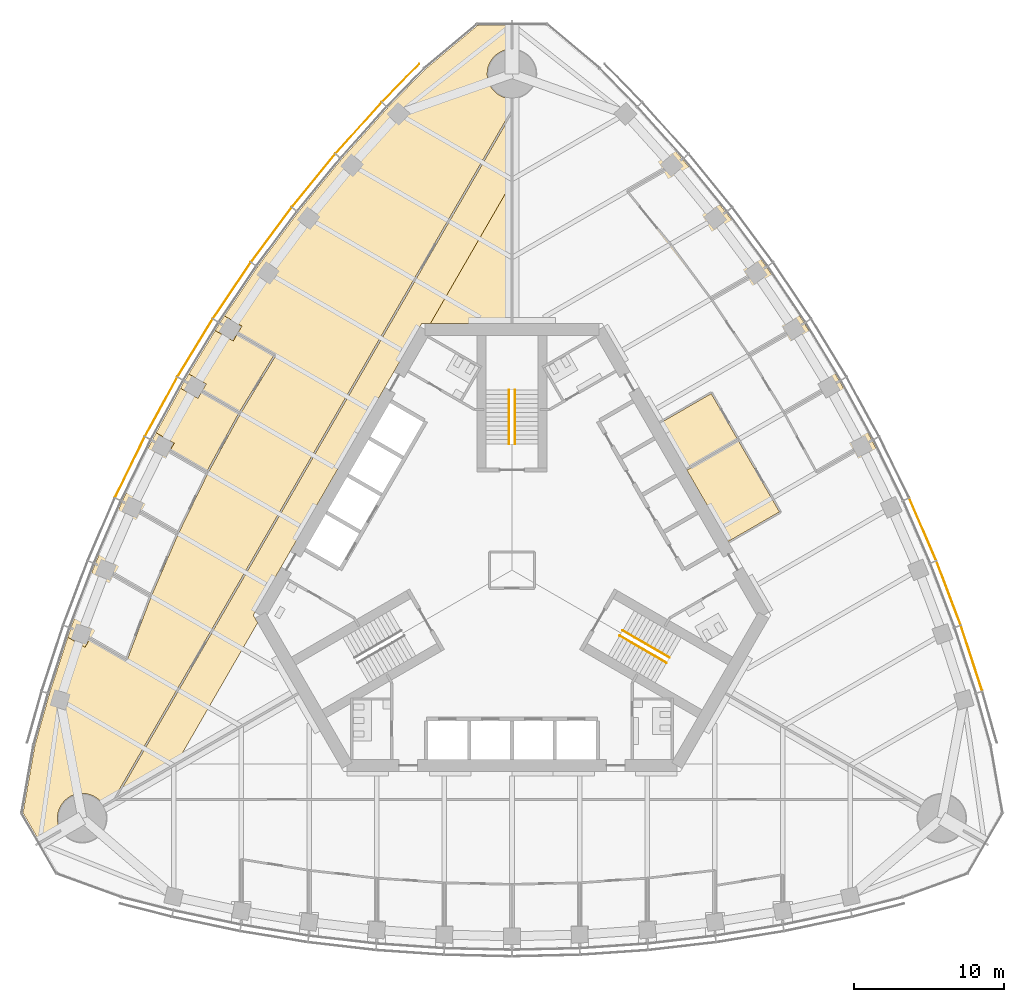
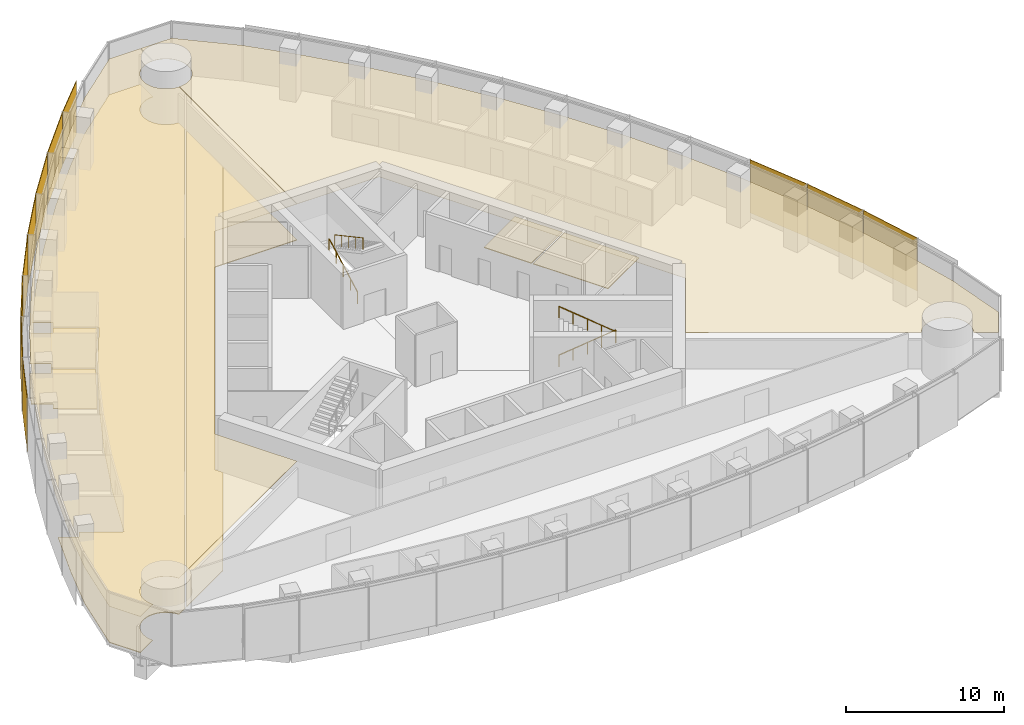
# One storey, part 17 of 20: 11 shading devices, 9 coverings, 4 railings.
"""IFC4 building model written with IfcOpenShell, lengths in metres."""

import ifcopenshell
import ifcopenshell.guid

model = None  # the IFC model being written
_history = None  # IfcOwnerHistory: only IFC2X3 demands one
_inside = {}  # id of a spatial element -> (the spatial element, [elements in it])
_under = {}  # id of a project, library or spatial element -> (it, [spatial elements below it])
_declared = {}  # id of a project -> (the project, [libraries it declares])
_typed = {}  # id of a type object -> (the type object, [elements of that type])
_made_of = {}  # id of a material, layer set ... -> (it, [elements and type objects made of it])


def new_model(schema):
    """Start an empty IFC model of exactly this schema.

    Asked for "IFC4X3", IfcOpenShell would pick the latest addendum, in which some entities
    have other attributes; the version numbers below select the first issue.
    IFC2X3 requires an IfcOwnerHistory on every rooted entity: one is made here for all.
    """
    global model, _history
    if schema == "IFC4X3":
        model = ifcopenshell.file(schema_version=(4, 3, 0, 0))
    else:
        model = ifcopenshell.file(schema=schema)
    _inside.clear()
    _under.clear()
    _declared.clear()
    _typed.clear()
    _made_of.clear()
    _history = None
    if model.schema == "IFC2X3":
        org = make("IfcOrganization", Name="unknown")
        user = make(
            "IfcPersonAndOrganization",
            ThePerson=make("IfcPerson", FamilyName="unknown"),
            TheOrganization=org,
        )
        app = make(
            "IfcApplication",
            ApplicationDeveloper=org,
            Version="unknown",
            ApplicationFullName="unknown",
            ApplicationIdentifier="unknown",
        )
        _history = make(
            "IfcOwnerHistory",
            OwningUser=user,
            OwningApplication=app,
            ChangeAction="ADDED",
            CreationDate=0,
        )
    return model


def make(cls, **values):
    """One entity of the class cls with the attributes given. An attribute that is None is left unset."""
    return model.create_entity(
        cls, **{name: value for name, value in values.items() if value is not None}
    )


def rooted(cls, **values):
    """An entity with a GlobalId (a new one), such as an element, a storey or a relation."""
    return make(cls, GlobalId=ifcopenshell.guid.new(), OwnerHistory=_history, **values)


def si_unit(unit_type, name, prefix=None):
    """IfcSIUnit, for example si_unit("LENGTHUNIT", "METRE", prefix="MILLI")."""
    return make("IfcSIUnit", UnitType=unit_type, Prefix=prefix, Name=name)


def assignment(units):
    """IfcUnitAssignment: the units of a project."""
    return None if units is None else make("IfcUnitAssignment", Units=units)


def point(xyz):
    """IfcCartesianPoint."""
    return None if xyz is None else make("IfcCartesianPoint", Coordinates=xyz)


def direction(xyz):
    """IfcDirection."""
    return None if xyz is None else make("IfcDirection", DirectionRatios=xyz)


def frame(location, z_axis=None, x_axis=None):
    """IfcAxis2Placement3D, a coordinate frame: its origin and axes. An axis left out is left unset."""
    return make(
        "IfcAxis2Placement3D",
        Location=point(location),
        Axis=direction(z_axis),
        RefDirection=direction(x_axis),
    )


def frame_2d(location, x_axis=None):
    """IfcAxis2Placement2D, a coordinate frame in the plane: its origin and x axis."""
    return make(
        "IfcAxis2Placement2D", Location=point(location), RefDirection=direction(x_axis)
    )


def origin():
    """The frame at (0, 0, 0) with its axes left unset."""
    return frame((0.0, 0.0, 0.0))


def origin_2d():
    """The frame at (0, 0) in the plane with its x axis left unset."""
    return frame_2d((0.0, 0.0))


def place(relative_to, where):
    """IfcLocalPlacement: puts the frame where relative to a parent placement (None: the world)."""
    return make(
        "IfcLocalPlacement", PlacementRelTo=relative_to, RelativePlacement=where
    )


def context(
    kind, dimensions, precision=None, world=None, true_north=None, identifier=None
):
    """IfcGeometricRepresentationContext, for example the 3D "Model" context."""
    return make(
        "IfcGeometricRepresentationContext",
        ContextIdentifier=identifier,
        ContextType=kind,
        CoordinateSpaceDimension=dimensions,
        Precision=precision,
        WorldCoordinateSystem=world,
        TrueNorth=true_north,
    )


def subcontext(parent, identifier, kind, view, scale=None):
    """IfcGeometricRepresentationSubContext, for example "Body" below "Model"."""
    return make(
        "IfcGeometricRepresentationSubContext",
        ContextIdentifier=identifier,
        ContextType=kind,
        ParentContext=parent,
        TargetScale=scale,
        TargetView=view,
    )


def project(units=None, contexts=None):
    """IfcProject with its units and contexts."""
    return rooted(
        "IfcProject",
        Name="project",
        RepresentationContexts=contexts,
        UnitsInContext=assignment(units),
    )


def spatial(cls, under=None, at=None, **own):
    """A site, building, storey or space (cls), placed at a placement, below another one or the project."""
    s = rooted(cls, ObjectPlacement=at, **own)
    if under is not None:
        _under.setdefault(under.id(), (under, []))[1].append(s)
    return s


def polyline(points):
    """IfcPolyline through the points."""
    return make("IfcPolyline", Points=[point(p) for p in points])


def profile(cls, at=None, kind="AREA", **sizes):
    """A parametric profile (cls). Its sizes go by their IFC names, for example OverallWidth=200.0."""
    return make(cls, ProfileType=kind, Position=at, **sizes)


def rectangle(**sizes):
    """IfcRectangleProfileDef."""
    return profile("IfcRectangleProfileDef", **sizes)


def circle(**sizes):
    """IfcCircleProfileDef."""
    return profile("IfcCircleProfileDef", **sizes)


def outline(outer, holes=None, kind="AREA"):
    """IfcArbitraryClosedProfileDef: a profile drawn as a closed curve; with holes, ...WithVoids."""
    if holes is None:
        return make("IfcArbitraryClosedProfileDef", ProfileType=kind, OuterCurve=outer)
    return make(
        "IfcArbitraryProfileDefWithVoids",
        ProfileType=kind,
        OuterCurve=outer,
        InnerCurves=holes,
    )


def extrude(swept, where, along, depth):
    """IfcExtrudedAreaSolid: the profile swept, set in the frame where, extruded along a direction by depth."""
    return make(
        "IfcExtrudedAreaSolid",
        SweptArea=swept,
        Position=where,
        ExtrudedDirection=direction(along),
        Depth=depth,
    )


def shape(context_of_items, identifier, shape_type, items):
    """IfcShapeRepresentation: the items that make up one representation, for example the "Body"."""
    return make(
        "IfcShapeRepresentation",
        ContextOfItems=context_of_items,
        RepresentationIdentifier=identifier,
        RepresentationType=shape_type,
        Items=items,
    )


def material(Name=None, Category=None):
    """IfcMaterial."""
    return make("IfcMaterial", Name=Name, Category=Category)


def layer(
    of_material, thickness, ventilated=None, Name=None, Category=None, Priority=None
):
    """IfcMaterialLayer: one layer of a wall or slab, of a material (None: an air gap)."""
    return make(
        "IfcMaterialLayer",
        Material=of_material,
        LayerThickness=thickness,
        IsVentilated=ventilated,
        Name=Name,
        Category=Category,
        Priority=Priority,
    )


def layer_set(layers, Name=None):
    """IfcMaterialLayerSet."""
    return make("IfcMaterialLayerSet", MaterialLayers=layers, LayerSetName=Name)


def made_of(thing, what):
    """Note that an element or type object is made of a material, layer set ...; save() writes the relation."""
    if what is not None:
        _made_of.setdefault(what.id(), (what, []))[1].append(thing)
    return thing


def type_object(cls, material=None, **own):
    """A type object (cls), such as IfcWallType, which elements share."""
    return made_of(rooted(cls, **own), material)


def element(
    cls,
    number,
    at=None,
    inside=None,
    cuts=None,
    type_object=None,
    material=None,
    context=None,
    identifier="Body",
    shape_type=None,
    held_by="IfcProductDefinitionShape",
    body=None,
    shapes=None,
    **own,
):
    """One element of the class cls, such as IfcWall. Its Tag is "e" and its number.

    at: its placement. inside: the storey or other place that contains it. cuts: it is an
    opening in that element (IfcRelVoidsElement). A single representation is given by context,
    identifier, shape_type and body (its items); several are given by shapes. held_by: the class
    of the entity that holds the representations. save() writes the other relations.
    """
    e = rooted(cls, Tag="e%d" % number, ObjectPlacement=at, **own)
    if body is not None:
        shapes = [shape(context, identifier, shape_type, body)]
    if shapes is not None:
        e.Representation = make(held_by, Representations=shapes)
    if inside is not None:
        _inside.setdefault(inside.id(), (inside, []))[1].append(e)
    if cuts is not None:
        rooted(
            "IfcRelVoidsElement", RelatingBuildingElement=cuts, RelatedOpeningElement=e
        )
    if type_object is not None:
        _typed.setdefault(type_object.id(), (type_object, []))[1].append(e)
    return made_of(e, material)


def aggregate(whole, parts):
    """IfcRelAggregates: a whole, such as a stair, and the parts it consists of."""
    return rooted("IfcRelAggregates", RelatingObject=whole, RelatedObjects=parts)


def save(model, path):
    """Write the relations noted so far, then the file.

    IfcRelAggregates (storeys below a building ...), IfcRelContainedInSpatialStructure (elements
    in a storey), IfcRelDefinesByType, IfcRelAssociatesMaterial and IfcRelDeclares: one each for
    every whole, place, type object, material and project.
    """
    for whole, parts in _under.values():
        aggregate(whole, parts)
    for where, things in _inside.values():
        rooted(
            "IfcRelContainedInSpatialStructure",
            RelatedElements=things,
            RelatingStructure=where,
        )
    for kind, things in _typed.values():
        rooted("IfcRelDefinesByType", RelatedObjects=things, RelatingType=kind)
    for what, things in _made_of.values():
        rooted("IfcRelAssociatesMaterial", RelatedObjects=things, RelatingMaterial=what)
    for by, libraries in _declared.values():
        rooted("IfcRelDeclares", RelatingContext=by, RelatedDefinitions=libraries)
    model.write(path)


model = new_model("IFC4")

# Units and contexts
model_context = context("Model", 3, precision=1e-05, world=origin(), true_north=direction((0.0, 1.0)))
body_context = subcontext(model_context, "Body", "Model", "MODEL_VIEW")
ifc_project = project(units=[si_unit("LENGTHUNIT", "METRE"), si_unit("AREAUNIT", "SQUARE_METRE"), si_unit("VOLUMEUNIT", "CUBIC_METRE"), si_unit("PLANEANGLEUNIT", "RADIAN"), si_unit("MASSUNIT", "GRAM", prefix="KILO")], contexts=[model_context])

# Site, building, storey
site_placement = place(None, origin())
site = spatial("IfcSite", under=ifc_project, at=site_placement, CompositionType="ELEMENT")
building_placement = place(site_placement, origin())
building = spatial("IfcBuilding", under=site, at=building_placement, Name="Trefoil Bronze Tower", CompositionType="ELEMENT")
storey_placement = place(building_placement, frame((0.0, 0.0, 219.10009765625)))
storey = spatial("IfcBuildingStorey", under=building, at=storey_placement, Name="L50", CompositionType="ELEMENT", Elevation=219.10009765625)

# Shading devices
ifc_material_1 = material(Name="Perforated bronze sheet", Category="bronze")
ifc_layer_1 = layer(ifc_material_1, 0.0400390625)
ifc_layer_set_1 = layer_set([ifc_layer_1], Name="Bronze solar screen panel")
shading_device_type = type_object("IfcShadingDeviceType", Name="Bronze solar screen panel", PredefinedType="SHUTTER", material=ifc_layer_set_1)
shading_device_1_placement = place(storey_placement, frame((30.5634765625, -5.86572265625, 0.0498046875), z_axis=(0.0, 0.0, 1.0), x_axis=(-0.310148591821, 0.950688093431, 0.0)))
element("IfcShadingDevice", 1, at=shading_device_1_placement, inside=storey, type_object=shading_device_type, Name="Solar screen CW-A L50 F2 bay 2", PredefinedType="SHUTTER", context=body_context, shape_type="SweptSolid", body=[
    extrude(rectangle(XDim=4.5693359375, YDim=0.0400390625, at=origin_2d()), origin(), (0.0, 0.0, 1.0), 4.10009765625),
])
shading_device_2_placement = place(storey_placement, frame((29.0341796875, -1.52392578125, 0.0498046875), z_axis=(0.0, 0.0, 1.0), x_axis=(-0.354233936517, 0.935156841508, 0.0)))
element("IfcShadingDevice", 2, at=shading_device_2_placement, inside=storey, type_object=shading_device_type, Name="Solar screen CW-A L50 F2 bay 3", PredefinedType="SHUTTER", context=body_context, shape_type="SweptSolid", body=[
    extrude(rectangle(XDim=4.529296875, YDim=0.0400390625, at=origin_2d()), origin(), (0.0, 0.0, 1.0), 4.10009765625),
])
shading_device_3_placement = place(storey_placement, frame((27.317626953125, 2.709716796875, 0.0498046875), z_axis=(0.0, 0.0, 1.0), x_axis=(-0.397220305764, 0.917723285467, 0.0)))
element("IfcShadingDevice", 3, at=shading_device_3_placement, inside=storey, type_object=shading_device_type, Name="Solar screen CW-A L50 F2 bay 4", PredefinedType="SHUTTER", context=body_context, shape_type="SweptSolid", body=[
    extrude(rectangle(XDim=4.5, YDim=0.0400390625, at=origin_2d()), origin(), (0.0, 0.0, 1.0), 4.10009765625),
])
shading_device_4_placement = place(storey_placement, frame((-7.40478515625, 32.40380859375, 0.0498046875), z_axis=(0.0, 0.0, 1.0), x_axis=(-0.698651812425, -0.715461840349, 0.0)))
element("IfcShadingDevice", 4, at=shading_device_4_placement, inside=storey, type_object=shading_device_type, Name="Solar screen CW-A L50 F3 bay 1", PredefinedType="SHUTTER", context=body_context, shape_type="SweptSolid", body=[
    extrude(rectangle(XDim=3.53369140625, YDim=0.0400390625, at=origin_2d()), origin(), (0.0, 0.0, 1.0), 4.10009765625),
])
shading_device_5_placement = place(storey_placement, frame((-10.20166015625, 29.401611328125, 0.0498046875), z_axis=(0.0, 0.0, 1.0), x_axis=(-0.668245744076, -0.743940606181, 0.0)))
element("IfcShadingDevice", 5, at=shading_device_5_placement, inside=storey, type_object=shading_device_type, Name="Solar screen CW-A L50 F3 bay 2", PredefinedType="SHUTTER", context=body_context, shape_type="SweptSolid", body=[
    extrude(rectangle(XDim=4.5693359375, YDim=0.0400390625, at=origin_2d()), origin(), (0.0, 0.0, 1.0), 4.10009765625),
])
shading_device_6_placement = place(storey_placement, frame((-13.197509765625, 25.90625, 0.0498046875), z_axis=(0.0, 0.0, 1.0), x_axis=(-0.63275261301, -0.774354008661, 0.0)))
element("IfcShadingDevice", 6, at=shading_device_6_placement, inside=storey, type_object=shading_device_type, Name="Solar screen CW-A L50 F3 bay 3", PredefinedType="SHUTTER", context=body_context, shape_type="SweptSolid", body=[
    extrude(rectangle(XDim=4.529296875, YDim=0.0400390625, at=origin_2d()), origin(), (0.0, 0.0, 1.0), 4.10009765625),
])
shading_device_7_placement = place(storey_placement, frame((-16.005615234375, 22.302734375, 0.0498046875), z_axis=(0.0, 0.0, 1.0), x_axis=(-0.596161525977, -0.802864518425, 0.0)))
element("IfcShadingDevice", 7, at=shading_device_7_placement, inside=storey, type_object=shading_device_type, Name="Solar screen CW-A L50 F3 bay 4", PredefinedType="SHUTTER", context=body_context, shape_type="SweptSolid", body=[
    extrude(rectangle(XDim=4.5, YDim=0.0400390625, at=origin_2d()), origin(), (0.0, 0.0, 1.0), 4.10009765625),
])
shading_device_8_placement = place(storey_placement, frame((-18.6298828125, 18.59326171875, 0.0498046875), z_axis=(0.0, 0.0, 1.0), x_axis=(-0.558493494706, -0.829508900718, 0.0)))
element("IfcShadingDevice", 8, at=shading_device_8_placement, inside=storey, type_object=shading_device_type, Name="Solar screen CW-A L50 F3 bay 5", PredefinedType="SHUTTER", context=body_context, shape_type="SweptSolid", body=[
    extrude(rectangle(XDim=4.480712890625, YDim=0.0400390625, at=origin_2d()), origin(), (0.0, 0.0, 1.0), 4.10009765625),
])
for number, where, z_axis, x_axis, name in (
    (9, (-21.07275390625, 14.77880859375, 0.0498046875), (0.0, 0.0, 1.0), (-0.519762112739, -0.854311035959, 0.0), "Solar screen CW-A L50 F3 bay 6"),
    (10, (-23.3349609375, 10.860107421875, 0.0498046875), (0.0, 0.0, 1.0), (-0.479974003504, -0.877282711536, 0.0), "Solar screen CW-A L50 F3 bay 7"),
):
    element("IfcShadingDevice", number, at=place(storey_placement, frame(where, z_axis=z_axis, x_axis=x_axis)), inside=storey, type_object=shading_device_type, Name=name, PredefinedType="SHUTTER", context=body_context, shape_type="SweptSolid", body=[
        extrude(rectangle(XDim=4.47119140625, YDim=0.0400390625, at=origin_2d()), origin(), (0.0, 0.0, 1.0), 4.10009765625),
    ])
shading_device_9_placement = place(storey_placement, frame((-25.4169921875, 6.83740234375, 0.0498046875), z_axis=(0.0, 0.0, 1.0), x_axis=(-0.439129033334, -0.898424004623, 0.0)))
element("IfcShadingDevice", 11, at=shading_device_9_placement, inside=storey, type_object=shading_device_type, Name="Solar screen CW-A L50 F3 bay 8", PredefinedType="SHUTTER", context=body_context, shape_type="SweptSolid", body=[
    extrude(rectangle(XDim=4.480712890625, YDim=0.0400390625, at=origin_2d()), origin(), (0.0, 0.0, 1.0), 4.10009765625),
])

# Railings
ifc_material_2 = material(Name="Steel handrail", Category="steel")
railing_type = type_object("IfcRailingType", Name="Handrail 900", PredefinedType="HANDRAIL", material=ifc_material_2)
railing_1_placement = place(storey_placement, frame((7.365966796875, -4.021728515625, 0.161376953125)))
element("IfcRailing", 12, at=railing_1_placement, inside=storey, type_object=railing_type, Name="Handrail ST1 flight 1 L50", PredefinedType="HANDRAIL", context=body_context, shape_type="SweptSolid", body=[
    extrude(circle(Radius=0.02392578125, at=origin_2d()), frame((0.0, 0.0, 0.8759765625), z_axis=(0.76250339821, -0.440245697338, 0.474101564745), x_axis=(0.500012057535, 0.866018442252, 0.0)), (0.0, 0.0, 1.0), 4.088623046875),
    extrude(circle(Radius=0.02099609375, at=origin_2d()), origin(), (0.0, 0.0, 1.0), 0.851806640625),
    extrude(circle(Radius=0.02099609375, at=origin_2d()), frame((0.779296875, -0.449951171875, 0.484619140625)), (0.0, 0.0, 1.0), 0.851806640625),
    extrude(circle(Radius=0.02099609375, at=origin_2d()), frame((1.558837890625, -0.89990234375, 0.96923828125)), (0.0, 0.0, 1.0), 0.851806640625),
    extrude(circle(Radius=0.02099609375, at=origin_2d()), frame((2.33837890625, -1.35009765625, 1.453857421875)), (0.0, 0.0, 1.0), 0.851806640625),
    extrude(circle(Radius=0.02099609375, at=origin_2d()), frame((3.11767578125, -1.800048828125, 1.9384765625)), (0.0, 0.0, 1.0), 0.851806640625),
])
railing_2_placement = place(storey_placement, frame((10.28369140625, -6.168212890625, 2.261474609375)))
element("IfcRailing", 13, at=railing_2_placement, inside=storey, type_object=railing_type, Name="Handrail ST1 flight 2 L50", PredefinedType="HANDRAIL", context=body_context, shape_type="SweptSolid", body=[
    extrude(circle(Radius=0.02392578125, at=origin_2d()), frame((0.0, 0.0, 0.8759765625), z_axis=(-0.76250339821, 0.440245697338, 0.474101564745), x_axis=(-0.500012057535, -0.866018442252, 0.0)), (0.0, 0.0, 1.0), 4.088623046875),
    extrude(circle(Radius=0.02099609375, at=origin_2d()), origin(), (0.0, 0.0, 1.0), 0.851806640625),
    extrude(circle(Radius=0.02099609375, at=origin_2d()), frame((-0.779296875, 0.449951171875, 0.484619140625)), (0.0, 0.0, 1.0), 0.851806640625),
    extrude(circle(Radius=0.02099609375, at=origin_2d()), frame((-1.558837890625, 0.89990234375, 0.96923828125)), (0.0, 0.0, 1.0), 0.851806640625),
    extrude(circle(Radius=0.02099609375, at=origin_2d()), frame((-2.33837890625, 1.35009765625, 1.453857421875)), (0.0, 0.0, 1.0), 0.851806640625),
    extrude(circle(Radius=0.02099609375, at=origin_2d()), frame((-3.11767578125, 1.800048828125, 1.9384765625)), (0.0, 0.0, 1.0), 0.851806640625),
])
railing_3_placement = place(storey_placement, frame((-0.199951171875, 8.389892578125, 0.161376953125)))
element("IfcRailing", 14, at=railing_3_placement, inside=storey, type_object=railing_type, Name="Handrail ST2 flight 1 L50", PredefinedType="HANDRAIL", context=body_context, shape_type="SweptSolid", body=[
    extrude(circle(Radius=0.02392578125, at=origin_2d()), frame((0.0, 0.0, 0.8759765625), z_axis=(0.0, 0.880474934443, 0.474092701714), x_axis=(-1.0, 0.0, 0.0)), (0.0, 0.0, 1.0), 4.0888671875),
    extrude(circle(Radius=0.02099609375, at=origin_2d()), origin(), (0.0, 0.0, 1.0), 0.851806640625),
    extrude(circle(Radius=0.02099609375, at=origin_2d()), frame((0.0, 0.89990234375, 0.484619140625)), (0.0, 0.0, 1.0), 0.851806640625),
    extrude(circle(Radius=0.02099609375, at=origin_2d()), frame((0.0, 1.800048828125, 0.96923828125)), (0.0, 0.0, 1.0), 0.851806640625),
    extrude(circle(Radius=0.02099609375, at=origin_2d()), frame((0.0, 2.7001953125, 1.453857421875)), (0.0, 0.0, 1.0), 0.851806640625),
    extrude(circle(Radius=0.02099609375, at=origin_2d()), frame((0.0, 3.60009765625, 1.9384765625)), (0.0, 0.0, 1.0), 0.851806640625),
])
railing_4_placement = place(storey_placement, frame((0.199951171875, 11.989990234375, 2.261474609375)))
element("IfcRailing", 15, at=railing_4_placement, inside=storey, type_object=railing_type, Name="Handrail ST2 flight 2 L50", PredefinedType="HANDRAIL", context=body_context, shape_type="SweptSolid", body=[
    extrude(circle(Radius=0.02392578125, at=origin_2d()), frame((0.0, 0.0, 0.8759765625), z_axis=(0.0, -0.880474934443, 0.474092701714), x_axis=(1.0, 0.0, 0.0)), (0.0, 0.0, 1.0), 4.0888671875),
    extrude(circle(Radius=0.02099609375, at=origin_2d()), origin(), (0.0, 0.0, 1.0), 0.851806640625),
    extrude(circle(Radius=0.02099609375, at=origin_2d()), frame((0.0, -0.89990234375, 0.484619140625)), (0.0, 0.0, 1.0), 0.851806640625),
    extrude(circle(Radius=0.02099609375, at=origin_2d()), frame((0.0, -1.800048828125, 0.96923828125)), (0.0, 0.0, 1.0), 0.851806640625),
    extrude(circle(Radius=0.02099609375, at=origin_2d()), frame((0.0, -2.7001953125, 1.453857421875)), (0.0, 0.0, 1.0), 0.851806640625),
    extrude(circle(Radius=0.02099609375, at=origin_2d()), frame((0.0, -3.60009765625, 1.9384765625)), (0.0, 0.0, 1.0), 0.851806640625),
])

# Coverings
ifc_material_3 = material(Name="Acoustic ceiling panels", Category="mineral fibre")
ifc_layer_2 = layer(ifc_material_3, 0.02001953125)
ifc_layer_set_2 = layer_set([ifc_layer_2], Name="Office ceiling 20")
covering_type_1 = type_object("IfcCoveringType", Name="Office ceiling 20", PredefinedType="CEILING", material=ifc_layer_set_2)
covering_1_placement = place(storey_placement, frame((0.0, 0.0, 2.89990234375)))
element("IfcCovering", 16, at=covering_1_placement, inside=storey, type_object=covering_type_1, Name="Ceiling L50 Open-plan office F2", PredefinedType="CEILING", context=body_context, shape_type="SweptSolid", body=[
    extrude(outline(polyline([(8.26318359375, 30.751708984375), (11.3369140625, 27.329833984375), (14.2216796875, 23.79931640625), (16.92236328125, 20.162353515625), (19.44140625, 16.420654296875), (21.781005859375, 12.5751953125), (23.94140625, 8.62646484375), (25.92236328125, 4.573974609375), (27.7216796875, 0.416748046875), (29.3369140625, -3.846923828125), (30.76318359375, -8.219482421875), (31.7265625, -11.650634765625), (32.518310546875, -16.1416015625), (31.385009765625, -18.1044921875), (30.013916015625, -17.3134765625), (30.033935546875, -17.27783203125), (30.0703125, -17.20556640625), (30.103271484375, -17.13134765625), (30.13232421875, -17.055908203125), (30.15771484375, -16.97900390625), (30.179443359375, -16.90087890625), (30.197021484375, -16.822021484375), (30.2109375, -16.7421875), (30.220947265625, -16.66162109375), (30.226806640625, -16.5810546875), (30.228759765625, -16.5), (30.226806640625, -16.4189453125), (30.220947265625, -16.33837890625), (30.2109375, -16.2578125), (30.197021484375, -16.177978515625), (30.179443359375, -16.09912109375), (30.15771484375, -16.02099609375), (30.13232421875, -15.944091796875), (30.103271484375, -15.86865234375), (30.0703125, -15.79443359375), (30.033935546875, -15.72216796875), (29.994140625, -15.651611328125), (29.95068359375, -15.583251953125), (29.904052734375, -15.51708984375), (29.854248046875, -15.453369140625), (29.801513671875, -15.391845703125), (29.74560546875, -15.333251953125), (29.68701171875, -15.27734375), (29.62548828125, -15.224609375), (29.561767578125, -15.1748046875), (29.49560546875, -15.128173828125), (29.427001953125, -15.084716796875), (29.356689453125, -15.044921875), (29.2841796875, -15.00830078125), (29.210205078125, -14.9755859375), (29.134765625, -14.946533203125), (29.057861328125, -14.9208984375), (28.979736328125, -14.8994140625), (28.900634765625, -14.881591796875), (28.82080078125, -14.867919921875), (28.740478515625, -14.85791015625), (28.659912109375, -14.85205078125), (28.578857421875, -14.85009765625), (28.497802734375, -14.85205078125), (28.4169921875, -14.85791015625), (28.336669921875, -14.867919921875), (28.2568359375, -14.881591796875), (28.177978515625, -14.8994140625), (28.099853515625, -14.9208984375), (28.02294921875, -14.946533203125), (27.947509765625, -14.9755859375), (27.873291015625, -15.00830078125), (27.801025390625, -15.044921875), (27.730712890625, -15.084716796875), (27.662109375, -15.128173828125), (27.595947265625, -15.1748046875), (27.531982421875, -15.224609375), (27.470703125, -15.27734375), (27.412109375, -15.333251953125), (27.356201171875, -15.391845703125), (27.303466796875, -15.453369140625), (27.25341796875, -15.51708984375), (27.206787109375, -15.583251953125), (27.156005859375, -15.6650390625), (14.205810546875, -8.194580078125), (17.205078125, -3.0), (6.00439453125, 16.39990234375), (0.006103515625, 16.39990234375), (0.01171875, 31.350341796875), (0.0810546875, 31.35205078125), (0.16162109375, 31.35791015625), (0.2421875, 31.367919921875), (0.322021484375, 31.381591796875), (0.40087890625, 31.3994140625), (0.47900390625, 31.4208984375), (0.555908203125, 31.446533203125), (0.63134765625, 31.4755859375), (0.70556640625, 31.50830078125), (0.77783203125, 31.544921875), (0.848388671875, 31.584716796875), (0.916748046875, 31.628173828125), (0.98291015625, 31.6748046875), (1.046630859375, 31.724609375), (1.108154296875, 31.77734375), (1.166748046875, 31.833251953125), (1.22265625, 31.891845703125), (1.275390625, 31.953369140625), (1.3251953125, 32.01708984375), (1.371826171875, 32.083251953125), (1.415283203125, 32.151611328125), (1.455078125, 32.22216796875), (1.49169921875, 32.29443359375), (1.5244140625, 32.36865234375), (1.553466796875, 32.444091796875), (1.5791015625, 32.52099609375), (1.6005859375, 32.59912109375), (1.618408203125, 32.677978515625), (1.632080078125, 32.7578125), (1.64208984375, 32.83837890625), (1.64794921875, 32.9189453125), (1.64990234375, 33.0), (1.64794921875, 33.0810546875), (1.64208984375, 33.16162109375), (1.632080078125, 33.2421875), (1.618408203125, 33.322021484375), (1.6005859375, 33.40087890625), (1.5791015625, 33.47900390625), (1.553466796875, 33.555908203125), (1.5244140625, 33.63134765625), (1.49169921875, 33.70556640625), (1.455078125, 33.77783203125), (1.415283203125, 33.848388671875), (1.371826171875, 33.916748046875), (1.3251953125, 33.98291015625), (1.275390625, 34.046630859375), (1.22265625, 34.108154296875), (1.166748046875, 34.166748046875), (1.108154296875, 34.22265625), (1.046630859375, 34.275390625), (0.98291015625, 34.3251953125), (0.916748046875, 34.371826171875), (0.848388671875, 34.415283203125), (0.77783203125, 34.455078125), (0.70556640625, 34.49169921875), (0.63134765625, 34.5244140625), (0.555908203125, 34.553466796875), (0.47900390625, 34.5791015625), (0.40087890625, 34.6005859375), (0.322021484375, 34.618408203125), (0.2421875, 34.632080078125), (0.16162109375, 34.64208984375), (0.0810546875, 34.64794921875), (0.012939453125, 34.649658203125), (0.013671875, 36.232666015625), (2.280029296875, 36.232666015625), (5.7734375, 33.30126953125), (8.26318359375, 30.751708984375)])), origin(), (0.0, 0.0, 1.0), 0.02001953125),
])
covering_2_placement = place(storey_placement, frame((0.0, 0.0, 2.89990234375)))
element("IfcCovering", 17, at=covering_2_placement, inside=storey, type_object=covering_type_1, Name="Ceiling L50 Open-plan office F3", PredefinedType="CEILING", context=body_context, shape_type="SweptSolid", body=[
    extrude(outline(polyline([(-30.76318359375, -8.219482421875), (-29.3369140625, -3.846923828125), (-27.7216796875, 0.416748046875), (-25.92236328125, 4.573974609375), (-23.94140625, 8.62646484375), (-21.781005859375, 12.5751953125), (-19.44140625, 16.420654296875), (-16.92236328125, 20.162353515625), (-14.2216796875, 23.79931640625), (-11.3369140625, 27.329833984375), (-8.26318359375, 30.751708984375), (-5.7734375, 33.30126953125), (-2.280029296875, 36.232666015625), (-0.013671875, 36.232666015625), (-0.012939453125, 34.649658203125), (-0.0810546875, 34.64794921875), (-0.16162109375, 34.64208984375), (-0.2421875, 34.632080078125), (-0.322021484375, 34.618408203125), (-0.40087890625, 34.6005859375), (-0.47900390625, 34.5791015625), (-0.555908203125, 34.553466796875), (-0.63134765625, 34.5244140625), (-0.70556640625, 34.49169921875), (-0.77783203125, 34.455078125), (-0.848388671875, 34.415283203125), (-0.916748046875, 34.371826171875), (-0.98291015625, 34.3251953125), (-1.046630859375, 34.275390625), (-1.108154296875, 34.22265625), (-1.166748046875, 34.166748046875), (-1.22265625, 34.108154296875), (-1.275390625, 34.046630859375), (-1.3251953125, 33.98291015625), (-1.371826171875, 33.916748046875), (-1.415283203125, 33.848388671875), (-1.455078125, 33.77783203125), (-1.49169921875, 33.70556640625), (-1.5244140625, 33.63134765625), (-1.553466796875, 33.555908203125), (-1.5791015625, 33.47900390625), (-1.6005859375, 33.40087890625), (-1.618408203125, 33.322021484375), (-1.632080078125, 33.2421875), (-1.64208984375, 33.16162109375), (-1.64794921875, 33.0810546875), (-1.64990234375, 33.0), (-1.64794921875, 32.9189453125), (-1.64208984375, 32.83837890625), (-1.632080078125, 32.7578125), (-1.618408203125, 32.677978515625), (-1.6005859375, 32.59912109375), (-1.5791015625, 32.52099609375), (-1.553466796875, 32.444091796875), (-1.5244140625, 32.36865234375), (-1.49169921875, 32.29443359375), (-1.455078125, 32.22216796875), (-1.415283203125, 32.151611328125), (-1.371826171875, 32.083251953125), (-1.3251953125, 32.01708984375), (-1.275390625, 31.953369140625), (-1.22265625, 31.891845703125), (-1.166748046875, 31.833251953125), (-1.108154296875, 31.77734375), (-1.046630859375, 31.724609375), (-0.98291015625, 31.6748046875), (-0.916748046875, 31.628173828125), (-0.848388671875, 31.584716796875), (-0.77783203125, 31.544921875), (-0.70556640625, 31.50830078125), (-0.63134765625, 31.4755859375), (-0.555908203125, 31.446533203125), (-0.47900390625, 31.4208984375), (-0.40087890625, 31.3994140625), (-0.322021484375, 31.381591796875), (-0.2421875, 31.367919921875), (-0.16162109375, 31.35791015625), (-0.0810546875, 31.35205078125), (-0.01171875, 31.350341796875), (-0.006103515625, 16.39990234375), (-6.00439453125, 16.39990234375), (-17.205078125, -3.0), (-14.205810546875, -8.194580078125), (-27.156005859375, -15.6650390625), (-27.206787109375, -15.583251953125), (-27.25341796875, -15.51708984375), (-27.303466796875, -15.453369140625), (-27.356201171875, -15.391845703125), (-27.412109375, -15.333251953125), (-27.470703125, -15.27734375), (-27.531982421875, -15.224609375), (-27.595947265625, -15.1748046875), (-27.662109375, -15.128173828125), (-27.730712890625, -15.084716796875), (-27.801025390625, -15.044921875), (-27.873291015625, -15.00830078125), (-27.947509765625, -14.9755859375), (-28.02294921875, -14.946533203125), (-28.099853515625, -14.9208984375), (-28.177978515625, -14.8994140625), (-28.2568359375, -14.881591796875), (-28.336669921875, -14.867919921875), (-28.4169921875, -14.85791015625), (-28.497802734375, -14.85205078125), (-28.578857421875, -14.85009765625), (-28.659912109375, -14.85205078125), (-28.740478515625, -14.85791015625), (-28.82080078125, -14.867919921875), (-28.900634765625, -14.881591796875), (-28.979736328125, -14.8994140625), (-29.057861328125, -14.9208984375), (-29.134765625, -14.946533203125), (-29.210205078125, -14.9755859375), (-29.2841796875, -15.00830078125), (-29.356689453125, -15.044921875), (-29.427001953125, -15.084716796875), (-29.49560546875, -15.128173828125), (-29.561767578125, -15.1748046875), (-29.62548828125, -15.224609375), (-29.68701171875, -15.27734375), (-29.74560546875, -15.333251953125), (-29.801513671875, -15.391845703125), (-29.854248046875, -15.453369140625), (-29.904052734375, -15.51708984375), (-29.95068359375, -15.583251953125), (-29.994140625, -15.651611328125), (-30.033935546875, -15.72216796875), (-30.0703125, -15.79443359375), (-30.103271484375, -15.86865234375), (-30.13232421875, -15.944091796875), (-30.15771484375, -16.02099609375), (-30.179443359375, -16.09912109375), (-30.197021484375, -16.177978515625), (-30.2109375, -16.2578125), (-30.220947265625, -16.33837890625), (-30.226806640625, -16.4189453125), (-30.228759765625, -16.5), (-30.226806640625, -16.5810546875), (-30.220947265625, -16.66162109375), (-30.2109375, -16.7421875), (-30.197021484375, -16.822021484375), (-30.179443359375, -16.90087890625), (-30.15771484375, -16.97900390625), (-30.13232421875, -17.055908203125), (-30.103271484375, -17.13134765625), (-30.0703125, -17.20556640625), (-30.033935546875, -17.27783203125), (-30.013916015625, -17.3134765625), (-31.385009765625, -18.1044921875), (-32.518310546875, -16.1416015625), (-31.7265625, -11.650634765625), (-30.76318359375, -8.219482421875)])), origin(), (0.0, 0.0, 1.0), 0.02001953125),
])
ifc_material_4 = material(Name="Raised access floor panels", Category="steel")
ifc_layer_3 = layer(ifc_material_4, 0.050048828125)
ifc_layer_set_3 = layer_set([ifc_layer_3], Name="Raised access floor 150")
covering_type_2 = type_object("IfcCoveringType", Name="Raised access floor 150", PredefinedType="FLOORING", material=ifc_layer_set_3)
covering_3_placement = place(storey_placement, frame((0.0, 0.0, 0.099853515625)))
element("IfcCovering", 18, at=covering_3_placement, inside=storey, type_object=covering_type_2, Name="Raised floor L50 Meeting room F2", PredefinedType="FLOORING", context=body_context, shape_type="SweptSolid", body=[
    extrude(outline(polyline([(11.634765625, 6.64794921875), (15.046875, 8.617919921875), (17.786865234375, 3.872314453125), (14.374755859375, 1.902099609375), (11.634765625, 6.64794921875)])), origin(), (0.0, 0.0, 1.0), 0.050048828125),
])
covering_4_placement = place(storey_placement, frame((0.0, 0.0, 0.099853515625)))
element("IfcCovering", 19, at=covering_4_placement, inside=storey, type_object=covering_type_2, Name="Raised floor L50 Meeting room F2", PredefinedType="FLOORING", context=body_context, shape_type="SweptSolid", body=[
    extrude(outline(polyline([(9.834716796875, 9.765625), (13.246826171875, 11.735595703125), (14.98681640625, 8.721923828125), (11.57470703125, 6.751953125), (9.834716796875, 9.765625)])), origin(), (0.0, 0.0, 1.0), 0.050048828125),
])
covering_5_placement = place(storey_placement, frame((0.0, 0.0, 0.099853515625)))
element("IfcCovering", 20, at=covering_5_placement, inside=storey, type_object=covering_type_2, Name="Raised floor L50 Office F3", PredefinedType="FLOORING", context=body_context, shape_type="SweptSolid", body=[
    extrude(outline(polyline([(-18.2451171875, 15.72998046875), (-18.275146484375, 15.677978515625), (-15.843994140625, 14.2744140625), (-18.121337890625, 10.531494140625), (-20.555908203125, 11.937255859375), (-20.5859375, 11.88525390625), (-20.611083984375, 11.89990234375), (-20.335693359375, 12.376953125), (-21.49462890625, 13.046142578125), (-19.740966796875, 15.9287109375), (-18.537353515625, 15.23388671875), (-18.24951171875, 15.732421875), (-18.2451171875, 15.72998046875)])), origin(), (0.0, 0.0, 1.0), 0.050048828125),
])
covering_6_placement = place(storey_placement, frame((0.0, 0.0, 0.099853515625)))
element("IfcCovering", 21, at=covering_6_placement, inside=storey, type_object=covering_type_2, Name="Raised floor L50 Office F3", PredefinedType="FLOORING", context=body_context, shape_type="SweptSolid", body=[
    extrude(outline(polyline([(-20.5859375, 11.88525390625), (-20.615966796875, 11.83349609375), (-18.181396484375, 10.427734375), (-20.2841796875, 6.584228515625), (-22.715087890625, 7.98779296875), (-22.7451171875, 7.935791015625), (-22.74951171875, 7.938232421875), (-22.46142578125, 8.436767578125), (-23.6650390625, 9.131591796875), (-22.045654296875, 12.091796875), (-20.88671875, 11.422607421875), (-20.611083984375, 11.89990234375), (-20.5859375, 11.88525390625)])), origin(), (0.0, 0.0, 1.0), 0.050048828125),
])
covering_7_placement = place(storey_placement, frame((0.0, 0.0, 0.099853515625)))
element("IfcCovering", 22, at=covering_7_placement, inside=storey, type_object=covering_type_2, Name="Raised floor L50 Corridor F3", PredefinedType="FLOORING", context=body_context, shape_type="SweptSolid", body=[
    extrude(outline(polyline([(-26.31591796875, -15.180419921875), (-0.011474609375, 30.38037109375), (-0.009765625, 25.783203125), (-5.427001953125, 16.39990234375), (-6.00439453125, 16.39990234375), (-17.205078125, -3.0), (-16.91650390625, -3.5), (-22.333740234375, -12.88330078125), (-26.31591796875, -15.180419921875)])), origin(), (0.0, 0.0, 1.0), 0.050048828125),
])
covering_8_placement = place(storey_placement, frame((0.0, 0.0, 0.099853515625)))
element("IfcCovering", 23, at=covering_8_placement, inside=storey, type_object=covering_type_2, Name="Raised floor L50 Open-plan office F3", PredefinedType="FLOORING", context=body_context, shape_type="SweptSolid", body=[
    extrude(outline(polyline([(-31.7265625, -11.650634765625), (-30.76318359375, -8.219482421875), (-29.54052734375, -4.4716796875), (-28.396728515625, -5.132080078125), (-28.105224609375, -4.627197265625), (-25.686279296875, -6.02392578125), (-25.65625, -5.971923828125), (-25.60009765625, -5.993408203125), (-23.985595703125, -1.73095703125), (-22.187255859375, 2.423828125), (-20.20751953125, 6.473876953125), (-18.048583984375, 10.42041015625), (-15.709716796875, 14.264404296875), (-15.760986328125, 14.295654296875), (-15.73095703125, 14.34765625), (-18.215087890625, 15.781982421875), (-18.2451171875, 15.72998046875), (-18.24951171875, 15.732421875), (-17.96142578125, 16.23095703125), (-19.119140625, 16.8994140625), (-16.92236328125, 20.162353515625), (-14.2216796875, 23.79931640625), (-11.3369140625, 27.329833984375), (-8.26318359375, 30.751708984375), (-5.7734375, 33.30126953125), (-2.280029296875, 36.232666015625), (-0.013671875, 36.232666015625), (-0.012939453125, 34.649658203125), (-0.0810546875, 34.64794921875), (-0.16162109375, 34.64208984375), (-0.2421875, 34.632080078125), (-0.322021484375, 34.618408203125), (-0.40087890625, 34.6005859375), (-0.47900390625, 34.5791015625), (-0.555908203125, 34.553466796875), (-0.63134765625, 34.5244140625), (-0.70556640625, 34.49169921875), (-0.77783203125, 34.455078125), (-0.848388671875, 34.415283203125), (-0.916748046875, 34.371826171875), (-0.98291015625, 34.3251953125), (-1.046630859375, 34.275390625), (-1.108154296875, 34.22265625), (-1.166748046875, 34.166748046875), (-1.22265625, 34.108154296875), (-1.275390625, 34.046630859375), (-1.3251953125, 33.98291015625), (-1.371826171875, 33.916748046875), (-1.415283203125, 33.848388671875), (-1.455078125, 33.77783203125), (-1.49169921875, 33.70556640625), (-1.5244140625, 33.63134765625), (-1.553466796875, 33.555908203125), (-1.5791015625, 33.47900390625), (-1.6005859375, 33.40087890625), (-1.618408203125, 33.322021484375), (-1.632080078125, 33.2421875), (-1.64208984375, 33.16162109375), (-1.64794921875, 33.0810546875), (-1.64990234375, 33.0), (-1.64794921875, 32.9189453125), (-1.64208984375, 32.83837890625), (-1.632080078125, 32.7578125), (-1.618408203125, 32.677978515625), (-1.6005859375, 32.59912109375), (-1.5791015625, 32.52099609375), (-1.553466796875, 32.444091796875), (-1.5244140625, 32.36865234375), (-1.49169921875, 32.29443359375), (-1.455078125, 32.22216796875), (-1.415283203125, 32.151611328125), (-1.371826171875, 32.083251953125), (-1.3251953125, 32.01708984375), (-1.275390625, 31.953369140625), (-1.22265625, 31.891845703125), (-1.166748046875, 31.833251953125), (-1.108154296875, 31.77734375), (-1.046630859375, 31.724609375), (-0.98291015625, 31.6748046875), (-0.916748046875, 31.628173828125), (-0.848388671875, 31.584716796875), (-0.77783203125, 31.544921875), (-0.70556640625, 31.50830078125), (-0.63134765625, 31.4755859375), (-0.555908203125, 31.446533203125), (-0.47900390625, 31.4208984375), (-0.40087890625, 31.3994140625), (-0.322021484375, 31.381591796875), (-0.2421875, 31.367919921875), (-0.16162109375, 31.35791015625), (-0.0810546875, 31.35205078125), (-0.01171875, 31.350341796875), (-0.011474609375, 30.488525390625), (-0.068359375, 30.521484375), (-26.466552734375, -15.201416015625), (-26.40966796875, -15.234375), (-27.156005859375, -15.6650390625), (-27.206787109375, -15.583251953125), (-27.25341796875, -15.51708984375), (-27.303466796875, -15.453369140625), (-27.356201171875, -15.391845703125), (-27.412109375, -15.333251953125), (-27.470703125, -15.27734375), (-27.531982421875, -15.224609375), (-27.595947265625, -15.1748046875), (-27.662109375, -15.128173828125), (-27.730712890625, -15.084716796875), (-27.801025390625, -15.044921875), (-27.873291015625, -15.00830078125), (-27.947509765625, -14.9755859375), (-28.02294921875, -14.946533203125), (-28.099853515625, -14.9208984375), (-28.177978515625, -14.8994140625), (-28.2568359375, -14.881591796875), (-28.336669921875, -14.867919921875), (-28.4169921875, -14.85791015625), (-28.497802734375, -14.85205078125), (-28.578857421875, -14.85009765625), (-28.659912109375, -14.85205078125), (-28.740478515625, -14.85791015625), (-28.82080078125, -14.867919921875), (-28.900634765625, -14.881591796875), (-28.979736328125, -14.8994140625), (-29.057861328125, -14.9208984375), (-29.134765625, -14.946533203125), (-29.210205078125, -14.9755859375), (-29.2841796875, -15.00830078125), (-29.356689453125, -15.044921875), (-29.427001953125, -15.084716796875), (-29.49560546875, -15.128173828125), (-29.561767578125, -15.1748046875), (-29.62548828125, -15.224609375), (-29.68701171875, -15.27734375), (-29.74560546875, -15.333251953125), (-29.801513671875, -15.391845703125), (-29.854248046875, -15.453369140625), (-29.904052734375, -15.51708984375), (-29.95068359375, -15.583251953125), (-29.994140625, -15.651611328125), (-30.033935546875, -15.72216796875), (-30.0703125, -15.79443359375), (-30.103271484375, -15.86865234375), (-30.13232421875, -15.944091796875), (-30.15771484375, -16.02099609375), (-30.179443359375, -16.09912109375), (-30.197021484375, -16.177978515625), (-30.2109375, -16.2578125), (-30.220947265625, -16.33837890625), (-30.226806640625, -16.4189453125), (-30.228759765625, -16.5), (-30.226806640625, -16.5810546875), (-30.220947265625, -16.66162109375), (-30.2109375, -16.7421875), (-30.197021484375, -16.822021484375), (-30.179443359375, -16.90087890625), (-30.15771484375, -16.97900390625), (-30.13232421875, -17.055908203125), (-30.103271484375, -17.13134765625), (-30.0703125, -17.20556640625), (-30.033935546875, -17.27783203125), (-30.013916015625, -17.3134765625), (-31.385009765625, -18.1044921875), (-32.518310546875, -16.1416015625), (-31.7265625, -11.650634765625)])), origin(), (0.0, 0.0, 1.0), 0.050048828125),
])
covering_9_placement = place(storey_placement, frame((0.0, 0.0, 0.099853515625)))
element("IfcCovering", 24, at=covering_9_placement, inside=storey, type_object=covering_type_2, Name="Raised floor L50 Open-plan office F3", PredefinedType="FLOORING", context=body_context, shape_type="SweptSolid", body=[
    extrude(outline(polyline([(-0.009765625, 25.783203125), (-0.006103515625, 16.39990234375), (-5.427001953125, 16.39990234375), (-0.009765625, 25.783203125)])), origin(), (0.0, 0.0, 1.0), 0.050048828125),
])

save(model, "model.ifc")
